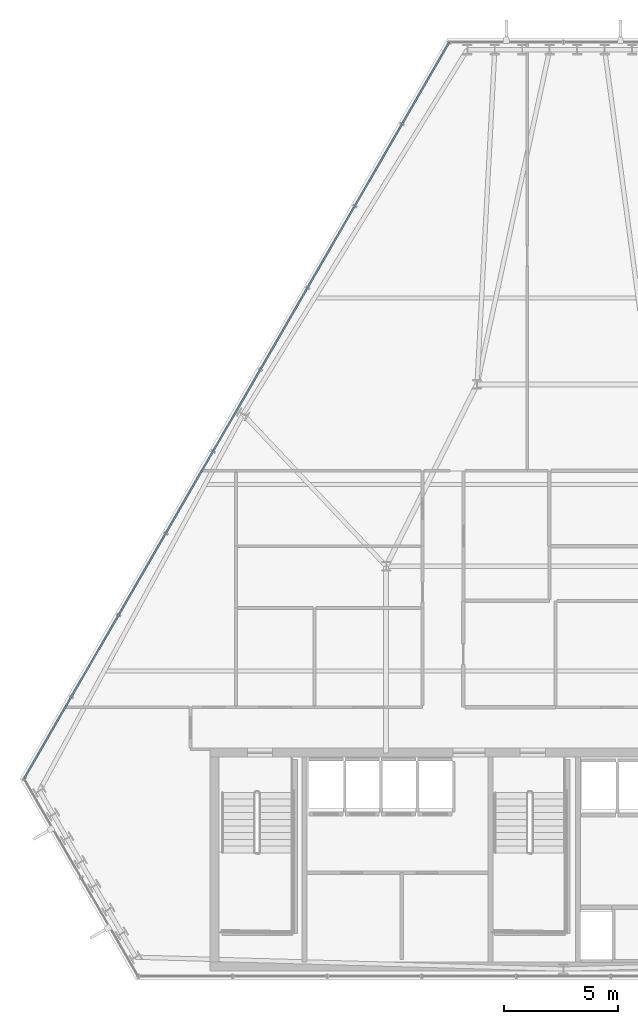
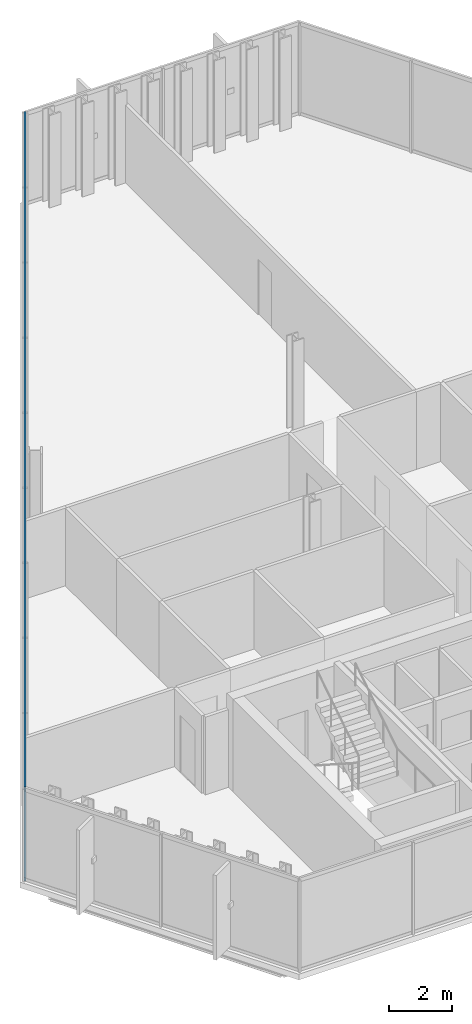
# One storey, part 12 of 35: 2 members, 1 element without a shape of its own.
"""IFC4 building model written with IfcOpenShell, lengths in metres."""

from ifc_helpers import new_model, si_unit, direction, frame, origin, origin_2d, place, context, subcontext, project, spatial, hollow_rectangle, extrude, material, layer, layer_set, material_profile, profile_set, type_object, element, aggregate, save


model = new_model("IFC4")

# Units and contexts
model_context = context("Model", 3, precision=1e-05, world=origin(), true_north=direction((0.0, 1.0)))
body_context = subcontext(model_context, "Body", "Model", "MODEL_VIEW")
ifc_project = project(units=[si_unit("LENGTHUNIT", "METRE"), si_unit("AREAUNIT", "SQUARE_METRE"), si_unit("VOLUMEUNIT", "CUBIC_METRE"), si_unit("PLANEANGLEUNIT", "RADIAN"), si_unit("MASSUNIT", "GRAM", prefix="KILO")], contexts=[model_context])

# Site, building, storey
site_placement = place(None, origin())
site = spatial("IfcSite", under=ifc_project, at=site_placement, CompositionType="ELEMENT")
building_placement = place(site_placement, origin())
building = spatial("IfcBuilding", under=site, at=building_placement, Name="Ndaravel Arena Tower", CompositionType="ELEMENT")
storey_placement = place(building_placement, frame((0.0, 0.0, 176.39990234375)))
storey = spatial("IfcBuildingStorey", under=building, at=storey_placement, Name="L42", CompositionType="ELEMENT", Elevation=176.39990234375)

# Curtain wall, members
ifc_material_1 = material(Name="Aluminium", Category="aluminium")
ifc_layer = layer(ifc_material_1, 0.179931640625)
ifc_layer_set = layer_set([ifc_layer], Name="Aluminium")
curtain_wall_type = type_object("IfcCurtainWallType", Name="CW-SYS-03", PredefinedType="NOTDEFINED", material=ifc_layer_set)
curtain_wall_placement = place(storey_placement, origin())
curtain_wall = element("IfcCurtainWall", 1, at=curtain_wall_placement, inside=storey, type_object=curtain_wall_type, Name="L42 Faceted Crystal Curtain Wall CW-L42-E05", PredefinedType="NOTDEFINED")
ifc_material_2 = material(Name="Aluminium", Category="aluminium")
ifc_material_profile = material_profile(ifc_material_2, hollow_rectangle(XDim=0.074951171875, YDim=0.14990234375, WallThickness=0.00390625, at=origin_2d()), Name="CW TRANSOM 75x150x4")
ifc_profile_set = profile_set([ifc_material_profile], Name="Aluminium")
member_type = type_object("IfcMemberType", Name="MEM-CW-TRN150", PredefinedType="USERDEFINED", material=ifc_profile_set)
member_1_placement = place(storey_placement, frame((36.981201171875, 46.248291015625, 0.0400390625), z_axis=(-0.499996270439, -0.866027557037, 0.0), x_axis=(0.866027557037, -0.499996270439, 0.0)))
member_1 = element("IfcMember", 2, at=member_1_placement, type_object=member_type, Name="CW-L42-E05 Transom 01", ObjectType="TRANSOM", PredefinedType="USERDEFINED", context=body_context, shape_type="SweptSolid", body=[
    extrude(hollow_rectangle(XDim=0.074951171875, YDim=0.14990234375, WallThickness=0.00390625, at=origin_2d()), origin(), (0.0, 0.0, 1.0), 37.406982421875),
])
member_2_placement = place(storey_placement, frame((36.981201171875, 46.248291015625, 3.5400390625), z_axis=(-0.499996270439, -0.866027557037, 0.0), x_axis=(0.866027557037, -0.499996270439, 0.0)))
member_2 = element("IfcMember", 3, at=member_2_placement, type_object=member_type, Name="CW-L42-E05 Transom 02", ObjectType="TRANSOM", PredefinedType="USERDEFINED", context=body_context, shape_type="SweptSolid", body=[
    extrude(hollow_rectangle(XDim=0.074951171875, YDim=0.14990234375, WallThickness=0.00390625, at=origin_2d()), origin(), (0.0, 0.0, 1.0), 37.406982421875),
])
aggregate(curtain_wall, [member_1, member_2])

save(model, "model.ifc")
